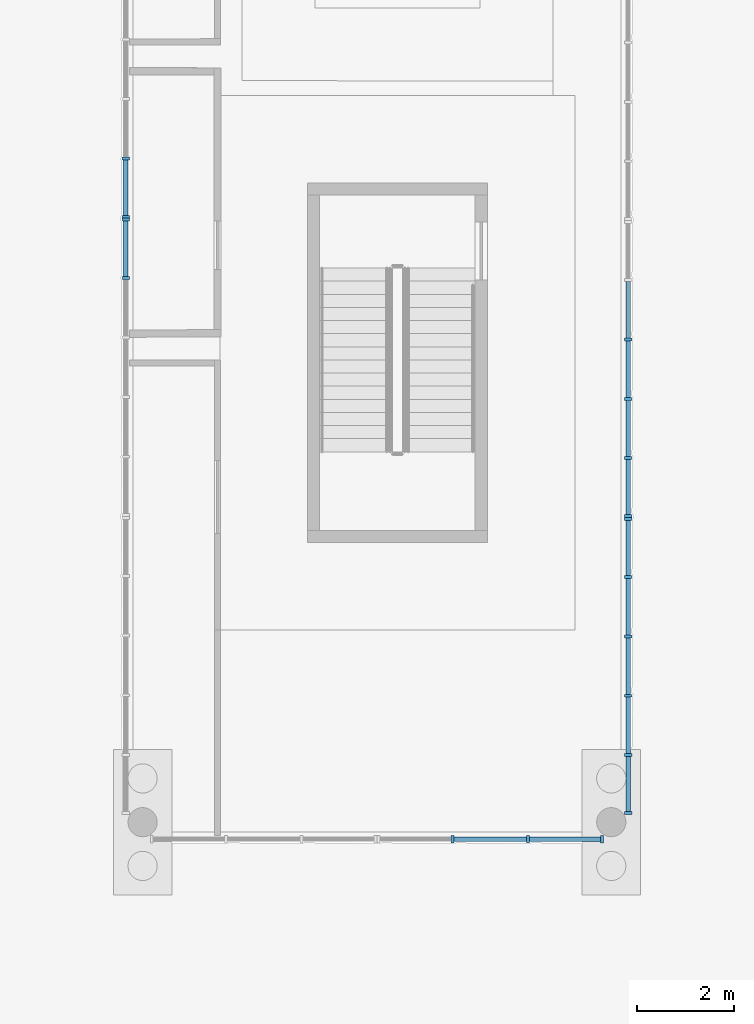
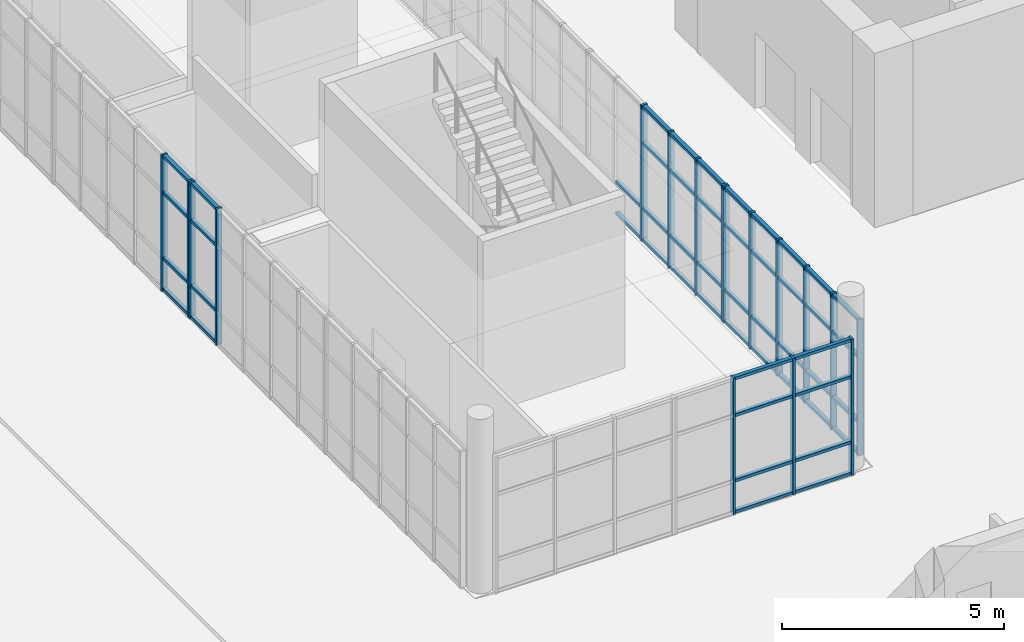
# One storey, part 13 of 110: 67 members, 5 elements without a shape of their own.
"""IFC4 building model written with IfcOpenShell, lengths in metres."""

from ifc_helpers import new_model, si_unit, direction, frame, origin, origin_2d, place, context, subcontext, project, spatial, rectangle, extrude, material, layer, layer_set, material_profile, profile_set, type_object, element, aggregate, save


model = new_model("IFC4")

# Units and contexts
model_context = context("Model", 3, precision=1e-05, world=origin(), true_north=direction((0.0, 1.0)))
body_context = subcontext(model_context, "Body", "Model", "MODEL_VIEW")
ifc_project = project(units=[si_unit("LENGTHUNIT", "METRE"), si_unit("AREAUNIT", "SQUARE_METRE"), si_unit("VOLUMEUNIT", "CUBIC_METRE"), si_unit("PLANEANGLEUNIT", "RADIAN"), si_unit("MASSUNIT", "GRAM", prefix="KILO")], contexts=[model_context])

# Site, building, storey
site_placement = place(None, origin())
site = spatial("IfcSite", under=ifc_project, at=site_placement, CompositionType="ELEMENT")
building_placement = place(site_placement, origin())
building = spatial("IfcBuilding", under=site, at=building_placement, Name="Larchfold Concert Hall", CompositionType="ELEMENT")
storey_placement = place(building_placement, origin())
storey = spatial("IfcBuildingStorey", under=building, at=storey_placement, Name="L00", CompositionType="ELEMENT", Elevation=0.0)

# Curtain wall, members
ifc_material_1 = material(Name="Anodised graphite aluminium curtain wall", Category="aluminium")
ifc_layer = layer(ifc_material_1, 0.14990234375)
ifc_layer_set = layer_set([ifc_layer], Name="Anodised graphite aluminium curtain wall")
curtain_wall_type = type_object("IfcCurtainWallType", Name="Curtain wall WG", PredefinedType="NOTDEFINED", material=ifc_layer_set)
curtain_wall_1_placement = place(storey_placement, origin())
curtain_wall_1 = element("IfcCurtainWall", 1, at=curtain_wall_1_placement, inside=storey, type_object=curtain_wall_type, Name="Curtain wall CW0128", PredefinedType="NOTDEFINED")
ifc_material_2 = material(Name="Anodised graphite aluminium mullion", Category="aluminium")
ifc_material_profile_1 = material_profile(ifc_material_2, rectangle(XDim=0.14990234375, YDim=0.06005859375, at=origin_2d()))
ifc_profile_set_1 = profile_set([ifc_material_profile_1], Name="Anodised graphite aluminium mullion")
member_type_1 = type_object("IfcMemberType", Name="Aluminium mullion 60x150", PredefinedType="MULLION", material=ifc_profile_set_1)
member_1_placement = place(storey_placement, frame((10.408447265625, 48.20166015625, 0.0), z_axis=(0.0, 0.0, 1.0), x_axis=(1.0, 0.0, 0.0)))
member_1 = element("IfcMember", 2, at=member_1_placement, type_object=member_type_1, Name="CW0128 mullion 5", PredefinedType="MULLION", context=body_context, shape_type="SweptSolid", body=[
    extrude(rectangle(XDim=0.14990234375, YDim=0.06005859375, at=origin_2d()), origin(), (0.0, 0.0, 1.0), 3.75),
])
member_2_placement = place(storey_placement, frame((10.408447265625, 47.005126953125, 0.0), z_axis=(0.0, 0.0, 1.0), x_axis=(1.0, 0.0, 0.0)))
member_2 = element("IfcMember", 3, at=member_2_placement, type_object=member_type_1, Name="CW0128 mullion 6", PredefinedType="MULLION", context=body_context, shape_type="SweptSolid", body=[
    extrude(rectangle(XDim=0.14990234375, YDim=0.06005859375, at=origin_2d()), origin(), (0.0, 0.0, 1.0), 3.75),
])

curtain_wall_2_placement = place(storey_placement, origin())
curtain_wall_2 = element("IfcCurtainWall", 4, at=curtain_wall_2_placement, inside=storey, type_object=curtain_wall_type, Name="Curtain wall CW0129", PredefinedType="NOTDEFINED")
member_3_placement = place(storey_placement, frame((10.408447265625, 46.945068359375, 0.0), z_axis=(0.0, 0.0, 1.0), x_axis=(1.0, 0.0, 0.0)))
member_3 = element("IfcMember", 5, at=member_3_placement, type_object=member_type_1, Name="CW0129 mullion 1", PredefinedType="MULLION", context=body_context, shape_type="SweptSolid", body=[
    extrude(rectangle(XDim=0.14990234375, YDim=0.06005859375, at=origin_2d()), origin(), (0.0, 0.0, 1.0), 3.75),
])
member_4_placement = place(storey_placement, frame((10.408447265625, 45.74853515625, 0.0), z_axis=(0.0, 0.0, 1.0), x_axis=(1.0, 0.0, 0.0)))
member_4 = element("IfcMember", 6, at=member_4_placement, type_object=member_type_1, Name="CW0129 mullion 2", PredefinedType="MULLION", context=body_context, shape_type="SweptSolid", body=[
    extrude(rectangle(XDim=0.14990234375, YDim=0.06005859375, at=origin_2d()), origin(), (0.0, 0.0, 1.0), 3.75),
])

curtain_wall_3_placement = place(storey_placement, origin())
curtain_wall_3 = element("IfcCurtainWall", 7, at=curtain_wall_3_placement, inside=storey, type_object=curtain_wall_type, Name="Curtain wall CW0132", PredefinedType="NOTDEFINED")
member_5_placement = place(storey_placement, frame((17.1328125, 34.199951171875, 0.0), z_axis=(0.0, 0.0, 1.0), x_axis=(0.0, 1.0, 0.0)))
member_5 = element("IfcMember", 8, at=member_5_placement, type_object=member_type_1, Name="CW0132 mullion 2", PredefinedType="MULLION", context=body_context, shape_type="SweptSolid", body=[
    extrude(rectangle(XDim=0.14990234375, YDim=0.06005859375, at=origin_2d()), origin(), (0.0, 0.0, 1.0), 3.75),
])
member_6_placement = place(storey_placement, frame((18.687255859375, 34.199951171875, 0.0), z_axis=(0.0, 0.0, 1.0), x_axis=(0.0, 1.0, 0.0)))
member_6 = element("IfcMember", 9, at=member_6_placement, type_object=member_type_1, Name="CW0132 mullion 3", PredefinedType="MULLION", context=body_context, shape_type="SweptSolid", body=[
    extrude(rectangle(XDim=0.14990234375, YDim=0.06005859375, at=origin_2d()), origin(), (0.0, 0.0, 1.0), 3.75),
])
member_7_placement = place(storey_placement, frame((20.21142578125, 34.199951171875, 0.0), z_axis=(0.0, 0.0, 1.0), x_axis=(0.0, 1.0, 0.0)))
member_7 = element("IfcMember", 10, at=member_7_placement, type_object=member_type_1, Name="CW0132 mullion 4", PredefinedType="MULLION", context=body_context, shape_type="SweptSolid", body=[
    extrude(rectangle(XDim=0.14990234375, YDim=0.06005859375, at=origin_2d()), origin(), (0.0, 0.0, 1.0), 3.75),
])

curtain_wall_4_placement = place(storey_placement, origin())
curtain_wall_4 = element("IfcCurtainWall", 11, at=curtain_wall_4_placement, inside=storey, type_object=curtain_wall_type, Name="Curtain wall CW0133", PredefinedType="NOTDEFINED")
member_8_placement = place(storey_placement, frame((20.748779296875, 34.738037109375, 0.0), z_axis=(0.0, 0.0, 1.0), x_axis=(-1.0, 0.0, 0.0)))
member_8 = element("IfcMember", 12, at=member_8_placement, type_object=member_type_1, Name="CW0133 mullion 1", PredefinedType="MULLION", context=body_context, shape_type="SweptSolid", body=[
    extrude(rectangle(XDim=0.14990234375, YDim=0.06005859375, at=origin_2d()), origin(), (0.0, 0.0, 1.0), 3.75),
])
member_9_placement = place(storey_placement, frame((20.748779296875, 35.9296875, 0.0), z_axis=(0.0, 0.0, 1.0), x_axis=(-1.0, 0.0, 0.0)))
member_9 = element("IfcMember", 13, at=member_9_placement, type_object=member_type_1, Name="CW0133 mullion 2", PredefinedType="MULLION", context=body_context, shape_type="SweptSolid", body=[
    extrude(rectangle(XDim=0.14990234375, YDim=0.06005859375, at=origin_2d()), origin(), (0.0, 0.0, 1.0), 3.75),
])
member_10_placement = place(storey_placement, frame((20.748779296875, 37.151611328125, 0.0), z_axis=(0.0, 0.0, 1.0), x_axis=(-1.0, 0.0, 0.0)))
member_10 = element("IfcMember", 14, at=member_10_placement, type_object=member_type_1, Name="CW0133 mullion 3", PredefinedType="MULLION", context=body_context, shape_type="SweptSolid", body=[
    extrude(rectangle(XDim=0.14990234375, YDim=0.06005859375, at=origin_2d()), origin(), (0.0, 0.0, 1.0), 3.75),
])
member_11_placement = place(storey_placement, frame((20.748779296875, 38.373291015625, 0.0), z_axis=(0.0, 0.0, 1.0), x_axis=(-1.0, 0.0, 0.0)))
member_11 = element("IfcMember", 15, at=member_11_placement, type_object=member_type_1, Name="CW0133 mullion 4", PredefinedType="MULLION", context=body_context, shape_type="SweptSolid", body=[
    extrude(rectangle(XDim=0.14990234375, YDim=0.06005859375, at=origin_2d()), origin(), (0.0, 0.0, 1.0), 3.75),
])
member_12_placement = place(storey_placement, frame((20.748779296875, 39.59521484375, 0.0), z_axis=(0.0, 0.0, 1.0), x_axis=(-1.0, 0.0, 0.0)))
member_12 = element("IfcMember", 16, at=member_12_placement, type_object=member_type_1, Name="CW0133 mullion 5", PredefinedType="MULLION", context=body_context, shape_type="SweptSolid", body=[
    extrude(rectangle(XDim=0.14990234375, YDim=0.06005859375, at=origin_2d()), origin(), (0.0, 0.0, 1.0), 3.75),
])
member_13_placement = place(storey_placement, frame((20.748779296875, 40.786865234375, 0.0), z_axis=(0.0, 0.0, 1.0), x_axis=(-1.0, 0.0, 0.0)))
member_13 = element("IfcMember", 17, at=member_13_placement, type_object=member_type_1, Name="CW0133 mullion 6", PredefinedType="MULLION", context=body_context, shape_type="SweptSolid", body=[
    extrude(rectangle(XDim=0.14990234375, YDim=0.06005859375, at=origin_2d()), origin(), (0.0, 0.0, 1.0), 3.75),
])

curtain_wall_5_placement = place(storey_placement, origin())
curtain_wall_5 = element("IfcCurtainWall", 18, at=curtain_wall_5_placement, inside=storey, type_object=curtain_wall_type, Name="Curtain wall CW0134", PredefinedType="NOTDEFINED")
member_14_placement = place(storey_placement, frame((20.748779296875, 40.846923828125, 0.0), z_axis=(0.0, 0.0, 1.0), x_axis=(-1.0, 0.0, 0.0)))
member_14 = element("IfcMember", 19, at=member_14_placement, type_object=member_type_1, Name="CW0134 mullion 1", PredefinedType="MULLION", context=body_context, shape_type="SweptSolid", body=[
    extrude(rectangle(XDim=0.14990234375, YDim=0.06005859375, at=origin_2d()), origin(), (0.0, 0.0, 1.0), 3.75),
])
member_15_placement = place(storey_placement, frame((20.748779296875, 42.03857421875, 0.0), z_axis=(0.0, 0.0, 1.0), x_axis=(-1.0, 0.0, 0.0)))
member_15 = element("IfcMember", 20, at=member_15_placement, type_object=member_type_1, Name="CW0134 mullion 2", PredefinedType="MULLION", context=body_context, shape_type="SweptSolid", body=[
    extrude(rectangle(XDim=0.14990234375, YDim=0.06005859375, at=origin_2d()), origin(), (0.0, 0.0, 1.0), 3.75),
])
member_16_placement = place(storey_placement, frame((20.748779296875, 43.26025390625, 0.0), z_axis=(0.0, 0.0, 1.0), x_axis=(-1.0, 0.0, 0.0)))
member_16 = element("IfcMember", 21, at=member_16_placement, type_object=member_type_1, Name="CW0134 mullion 3", PredefinedType="MULLION", context=body_context, shape_type="SweptSolid", body=[
    extrude(rectangle(XDim=0.14990234375, YDim=0.06005859375, at=origin_2d()), origin(), (0.0, 0.0, 1.0), 3.75),
])
member_17_placement = place(storey_placement, frame((20.748779296875, 44.482177734375, 0.0), z_axis=(0.0, 0.0, 1.0), x_axis=(-1.0, 0.0, 0.0)))
member_17 = element("IfcMember", 22, at=member_17_placement, type_object=member_type_1, Name="CW0134 mullion 4", PredefinedType="MULLION", context=body_context, shape_type="SweptSolid", body=[
    extrude(rectangle(XDim=0.14990234375, YDim=0.06005859375, at=origin_2d()), origin(), (0.0, 0.0, 1.0), 3.75),
])

# Member
ifc_material_3 = material(Name="Anodised graphite aluminium transom", Category="aluminium")
ifc_material_profile_2 = material_profile(ifc_material_3, rectangle(XDim=0.10009765625, YDim=0.080078125, at=origin_2d()))
ifc_profile_set_2 = profile_set([ifc_material_profile_2], Name="Anodised graphite aluminium transom")
member_type_2 = type_object("IfcMemberType", Name="Aluminium transom 80x100", PredefinedType="USERDEFINED", material=ifc_profile_set_2)
member_18_placement = place(storey_placement, frame((10.408447265625, 48.171630859375, 0.0400390625), z_axis=(0.0, -1.0, 0.0), x_axis=(1.0, 0.0, 0.0)))
member_18 = element("IfcMember", 23, at=member_18_placement, type_object=member_type_2, Name="CW0128 transom 5.1", ObjectType="TRANSOM", PredefinedType="USERDEFINED", context=body_context, shape_type="SweptSolid", body=[
    extrude(rectangle(XDim=0.10009765625, YDim=0.080078125, at=origin_2d()), origin(), (0.0, 0.0, 1.0), 1.136474609375),
])

member_19_placement = place(storey_placement, frame((10.408447265625, 48.171630859375, 0.89990234375), z_axis=(0.0, -1.0, 0.0), x_axis=(1.0, 0.0, 0.0)))
member_19 = element("IfcMember", 24, at=member_19_placement, type_object=member_type_2, Name="CW0128 transom 5.2", ObjectType="TRANSOM", PredefinedType="USERDEFINED", context=body_context, shape_type="SweptSolid", body=[
    extrude(rectangle(XDim=0.10009765625, YDim=0.080078125, at=origin_2d()), origin(), (0.0, 0.0, 1.0), 1.136474609375),
])

member_20_placement = place(storey_placement, frame((10.408447265625, 48.171630859375, 2.699951171875), z_axis=(0.0, -1.0, 0.0), x_axis=(1.0, 0.0, 0.0)))
member_20 = element("IfcMember", 25, at=member_20_placement, type_object=member_type_2, Name="CW0128 transom 5.3", ObjectType="TRANSOM", PredefinedType="USERDEFINED", context=body_context, shape_type="SweptSolid", body=[
    extrude(rectangle(XDim=0.10009765625, YDim=0.080078125, at=origin_2d()), origin(), (0.0, 0.0, 1.0), 1.136474609375),
])

member_21_placement = place(storey_placement, frame((10.408447265625, 48.171630859375, 3.7099609375), z_axis=(0.0, -1.0, 0.0), x_axis=(1.0, 0.0, 0.0)))
member_21 = element("IfcMember", 26, at=member_21_placement, type_object=member_type_2, Name="CW0128 transom 5.4", ObjectType="TRANSOM", PredefinedType="USERDEFINED", context=body_context, shape_type="SweptSolid", body=[
    extrude(rectangle(XDim=0.10009765625, YDim=0.080078125, at=origin_2d()), origin(), (0.0, 0.0, 1.0), 1.136474609375),
])

aggregate(curtain_wall_1, [member_1, member_2, member_18, member_19, member_20, member_21])

member_22_placement = place(storey_placement, frame((10.408447265625, 46.9150390625, 0.0400390625), z_axis=(0.0, -1.0, 0.0), x_axis=(1.0, 0.0, 0.0)))
member_22 = element("IfcMember", 27, at=member_22_placement, type_object=member_type_2, Name="CW0129 transom 1.1", ObjectType="TRANSOM", PredefinedType="USERDEFINED", context=body_context, shape_type="SweptSolid", body=[
    extrude(rectangle(XDim=0.10009765625, YDim=0.080078125, at=origin_2d()), origin(), (0.0, 0.0, 1.0), 1.13671875),
])

member_23_placement = place(storey_placement, frame((10.408447265625, 46.9150390625, 0.89990234375), z_axis=(0.0, -1.0, 0.0), x_axis=(1.0, 0.0, 0.0)))
member_23 = element("IfcMember", 28, at=member_23_placement, type_object=member_type_2, Name="CW0129 transom 1.2", ObjectType="TRANSOM", PredefinedType="USERDEFINED", context=body_context, shape_type="SweptSolid", body=[
    extrude(rectangle(XDim=0.10009765625, YDim=0.080078125, at=origin_2d()), origin(), (0.0, 0.0, 1.0), 1.13671875),
])

member_24_placement = place(storey_placement, frame((10.408447265625, 46.9150390625, 2.699951171875), z_axis=(0.0, -1.0, 0.0), x_axis=(1.0, 0.0, 0.0)))
member_24 = element("IfcMember", 29, at=member_24_placement, type_object=member_type_2, Name="CW0129 transom 1.3", ObjectType="TRANSOM", PredefinedType="USERDEFINED", context=body_context, shape_type="SweptSolid", body=[
    extrude(rectangle(XDim=0.10009765625, YDim=0.080078125, at=origin_2d()), origin(), (0.0, 0.0, 1.0), 1.13671875),
])

member_25_placement = place(storey_placement, frame((10.408447265625, 46.9150390625, 3.7099609375), z_axis=(0.0, -1.0, 0.0), x_axis=(1.0, 0.0, 0.0)))
member_25 = element("IfcMember", 30, at=member_25_placement, type_object=member_type_2, Name="CW0129 transom 1.4", ObjectType="TRANSOM", PredefinedType="USERDEFINED", context=body_context, shape_type="SweptSolid", body=[
    extrude(rectangle(XDim=0.10009765625, YDim=0.080078125, at=origin_2d()), origin(), (0.0, 0.0, 1.0), 1.13671875),
])

aggregate(curtain_wall_2, [member_3, member_4, member_22, member_23, member_24, member_25])

member_26_placement = place(storey_placement, frame((17.162841796875, 34.199951171875, 0.0400390625), z_axis=(1.0, 0.0, 0.0), x_axis=(0.0, 1.0, 0.0)))
member_26 = element("IfcMember", 31, at=member_26_placement, type_object=member_type_2, Name="CW0132 transom 2.1", ObjectType="TRANSOM", PredefinedType="USERDEFINED", context=body_context, shape_type="SweptSolid", body=[
    extrude(rectangle(XDim=0.10009765625, YDim=0.080078125, at=origin_2d()), origin(), (0.0, 0.0, 1.0), 1.494384765625),
])

member_27_placement = place(storey_placement, frame((17.162841796875, 34.199951171875, 0.89990234375), z_axis=(1.0, 0.0, 0.0), x_axis=(0.0, 1.0, 0.0)))
member_27 = element("IfcMember", 32, at=member_27_placement, type_object=member_type_2, Name="CW0132 transom 2.2", ObjectType="TRANSOM", PredefinedType="USERDEFINED", context=body_context, shape_type="SweptSolid", body=[
    extrude(rectangle(XDim=0.10009765625, YDim=0.080078125, at=origin_2d()), origin(), (0.0, 0.0, 1.0), 1.494384765625),
])

member_28_placement = place(storey_placement, frame((17.162841796875, 34.199951171875, 2.699951171875), z_axis=(1.0, 0.0, 0.0), x_axis=(0.0, 1.0, 0.0)))
member_28 = element("IfcMember", 33, at=member_28_placement, type_object=member_type_2, Name="CW0132 transom 2.3", ObjectType="TRANSOM", PredefinedType="USERDEFINED", context=body_context, shape_type="SweptSolid", body=[
    extrude(rectangle(XDim=0.10009765625, YDim=0.080078125, at=origin_2d()), origin(), (0.0, 0.0, 1.0), 1.494384765625),
])

member_29_placement = place(storey_placement, frame((17.162841796875, 34.199951171875, 3.7099609375), z_axis=(1.0, 0.0, 0.0), x_axis=(0.0, 1.0, 0.0)))
member_29 = element("IfcMember", 34, at=member_29_placement, type_object=member_type_2, Name="CW0132 transom 2.4", ObjectType="TRANSOM", PredefinedType="USERDEFINED", context=body_context, shape_type="SweptSolid", body=[
    extrude(rectangle(XDim=0.10009765625, YDim=0.080078125, at=origin_2d()), origin(), (0.0, 0.0, 1.0), 1.494384765625),
])

member_30_placement = place(storey_placement, frame((18.71728515625, 34.199951171875, 0.0400390625), z_axis=(1.0, 0.0, 0.0), x_axis=(0.0, 1.0, 0.0)))
member_30 = element("IfcMember", 35, at=member_30_placement, type_object=member_type_2, Name="CW0132 transom 3.1", ObjectType="TRANSOM", PredefinedType="USERDEFINED", context=body_context, shape_type="SweptSolid", body=[
    extrude(rectangle(XDim=0.10009765625, YDim=0.080078125, at=origin_2d()), origin(), (0.0, 0.0, 1.0), 1.464111328125),
])

member_31_placement = place(storey_placement, frame((18.71728515625, 34.199951171875, 0.89990234375), z_axis=(1.0, 0.0, 0.0), x_axis=(0.0, 1.0, 0.0)))
member_31 = element("IfcMember", 36, at=member_31_placement, type_object=member_type_2, Name="CW0132 transom 3.2", ObjectType="TRANSOM", PredefinedType="USERDEFINED", context=body_context, shape_type="SweptSolid", body=[
    extrude(rectangle(XDim=0.10009765625, YDim=0.080078125, at=origin_2d()), origin(), (0.0, 0.0, 1.0), 1.464111328125),
])

member_32_placement = place(storey_placement, frame((18.71728515625, 34.199951171875, 2.699951171875), z_axis=(1.0, 0.0, 0.0), x_axis=(0.0, 1.0, 0.0)))
member_32 = element("IfcMember", 37, at=member_32_placement, type_object=member_type_2, Name="CW0132 transom 3.3", ObjectType="TRANSOM", PredefinedType="USERDEFINED", context=body_context, shape_type="SweptSolid", body=[
    extrude(rectangle(XDim=0.10009765625, YDim=0.080078125, at=origin_2d()), origin(), (0.0, 0.0, 1.0), 1.464111328125),
])

member_33_placement = place(storey_placement, frame((18.71728515625, 34.199951171875, 3.7099609375), z_axis=(1.0, 0.0, 0.0), x_axis=(0.0, 1.0, 0.0)))
member_33 = element("IfcMember", 38, at=member_33_placement, type_object=member_type_2, Name="CW0132 transom 3.4", ObjectType="TRANSOM", PredefinedType="USERDEFINED", context=body_context, shape_type="SweptSolid", body=[
    extrude(rectangle(XDim=0.10009765625, YDim=0.080078125, at=origin_2d()), origin(), (0.0, 0.0, 1.0), 1.464111328125),
])

aggregate(curtain_wall_3, [member_5, member_6, member_7, member_26, member_27, member_28, member_29, member_30, member_31, member_32, member_33])

member_34_placement = place(storey_placement, frame((20.748779296875, 34.76806640625, 0.0400390625), z_axis=(0.0, 1.0, 0.0), x_axis=(-1.0, 0.0, 0.0)))
member_34 = element("IfcMember", 39, at=member_34_placement, type_object=member_type_2, Name="CW0133 transom 1.1", ObjectType="TRANSOM", PredefinedType="USERDEFINED", context=body_context, shape_type="SweptSolid", body=[
    extrude(rectangle(XDim=0.10009765625, YDim=0.080078125, at=origin_2d()), origin(), (0.0, 0.0, 1.0), 1.1318359375),
])

member_35_placement = place(storey_placement, frame((20.748779296875, 34.76806640625, 0.89990234375), z_axis=(0.0, 1.0, 0.0), x_axis=(-1.0, 0.0, 0.0)))
member_35 = element("IfcMember", 40, at=member_35_placement, type_object=member_type_2, Name="CW0133 transom 1.2", ObjectType="TRANSOM", PredefinedType="USERDEFINED", context=body_context, shape_type="SweptSolid", body=[
    extrude(rectangle(XDim=0.10009765625, YDim=0.080078125, at=origin_2d()), origin(), (0.0, 0.0, 1.0), 1.1318359375),
])

member_36_placement = place(storey_placement, frame((20.748779296875, 34.76806640625, 2.699951171875), z_axis=(0.0, 1.0, 0.0), x_axis=(-1.0, 0.0, 0.0)))
member_36 = element("IfcMember", 41, at=member_36_placement, type_object=member_type_2, Name="CW0133 transom 1.3", ObjectType="TRANSOM", PredefinedType="USERDEFINED", context=body_context, shape_type="SweptSolid", body=[
    extrude(rectangle(XDim=0.10009765625, YDim=0.080078125, at=origin_2d()), origin(), (0.0, 0.0, 1.0), 1.1318359375),
])

member_37_placement = place(storey_placement, frame((20.748779296875, 34.76806640625, 3.7099609375), z_axis=(0.0, 1.0, 0.0), x_axis=(-1.0, 0.0, 0.0)))
member_37 = element("IfcMember", 42, at=member_37_placement, type_object=member_type_2, Name="CW0133 transom 1.4", ObjectType="TRANSOM", PredefinedType="USERDEFINED", context=body_context, shape_type="SweptSolid", body=[
    extrude(rectangle(XDim=0.10009765625, YDim=0.080078125, at=origin_2d()), origin(), (0.0, 0.0, 1.0), 1.1318359375),
])

member_38_placement = place(storey_placement, frame((20.748779296875, 35.959716796875, 0.0400390625), z_axis=(0.0, 1.0, 0.0), x_axis=(-1.0, 0.0, 0.0)))
member_38 = element("IfcMember", 43, at=member_38_placement, type_object=member_type_2, Name="CW0133 transom 2.1", ObjectType="TRANSOM", PredefinedType="USERDEFINED", context=body_context, shape_type="SweptSolid", body=[
    extrude(rectangle(XDim=0.10009765625, YDim=0.080078125, at=origin_2d()), origin(), (0.0, 0.0, 1.0), 1.161865234375),
])

member_39_placement = place(storey_placement, frame((20.748779296875, 35.959716796875, 0.89990234375), z_axis=(0.0, 1.0, 0.0), x_axis=(-1.0, 0.0, 0.0)))
member_39 = element("IfcMember", 44, at=member_39_placement, type_object=member_type_2, Name="CW0133 transom 2.2", ObjectType="TRANSOM", PredefinedType="USERDEFINED", context=body_context, shape_type="SweptSolid", body=[
    extrude(rectangle(XDim=0.10009765625, YDim=0.080078125, at=origin_2d()), origin(), (0.0, 0.0, 1.0), 1.161865234375),
])

member_40_placement = place(storey_placement, frame((20.748779296875, 35.959716796875, 2.699951171875), z_axis=(0.0, 1.0, 0.0), x_axis=(-1.0, 0.0, 0.0)))
member_40 = element("IfcMember", 45, at=member_40_placement, type_object=member_type_2, Name="CW0133 transom 2.3", ObjectType="TRANSOM", PredefinedType="USERDEFINED", context=body_context, shape_type="SweptSolid", body=[
    extrude(rectangle(XDim=0.10009765625, YDim=0.080078125, at=origin_2d()), origin(), (0.0, 0.0, 1.0), 1.161865234375),
])

member_41_placement = place(storey_placement, frame((20.748779296875, 35.959716796875, 3.7099609375), z_axis=(0.0, 1.0, 0.0), x_axis=(-1.0, 0.0, 0.0)))
member_41 = element("IfcMember", 46, at=member_41_placement, type_object=member_type_2, Name="CW0133 transom 2.4", ObjectType="TRANSOM", PredefinedType="USERDEFINED", context=body_context, shape_type="SweptSolid", body=[
    extrude(rectangle(XDim=0.10009765625, YDim=0.080078125, at=origin_2d()), origin(), (0.0, 0.0, 1.0), 1.161865234375),
])

member_42_placement = place(storey_placement, frame((20.748779296875, 37.181640625, 0.0400390625), z_axis=(0.0, 1.0, 0.0), x_axis=(-1.0, 0.0, 0.0)))
member_42 = element("IfcMember", 47, at=member_42_placement, type_object=member_type_2, Name="CW0133 transom 3.1", ObjectType="TRANSOM", PredefinedType="USERDEFINED", context=body_context, shape_type="SweptSolid", body=[
    extrude(rectangle(XDim=0.10009765625, YDim=0.080078125, at=origin_2d()), origin(), (0.0, 0.0, 1.0), 1.16162109375),
])

member_43_placement = place(storey_placement, frame((20.748779296875, 37.181640625, 0.89990234375), z_axis=(0.0, 1.0, 0.0), x_axis=(-1.0, 0.0, 0.0)))
member_43 = element("IfcMember", 48, at=member_43_placement, type_object=member_type_2, Name="CW0133 transom 3.2", ObjectType="TRANSOM", PredefinedType="USERDEFINED", context=body_context, shape_type="SweptSolid", body=[
    extrude(rectangle(XDim=0.10009765625, YDim=0.080078125, at=origin_2d()), origin(), (0.0, 0.0, 1.0), 1.16162109375),
])

member_44_placement = place(storey_placement, frame((20.748779296875, 37.181640625, 2.699951171875), z_axis=(0.0, 1.0, 0.0), x_axis=(-1.0, 0.0, 0.0)))
member_44 = element("IfcMember", 49, at=member_44_placement, type_object=member_type_2, Name="CW0133 transom 3.3", ObjectType="TRANSOM", PredefinedType="USERDEFINED", context=body_context, shape_type="SweptSolid", body=[
    extrude(rectangle(XDim=0.10009765625, YDim=0.080078125, at=origin_2d()), origin(), (0.0, 0.0, 1.0), 1.16162109375),
])

member_45_placement = place(storey_placement, frame((20.748779296875, 37.181640625, 3.7099609375), z_axis=(0.0, 1.0, 0.0), x_axis=(-1.0, 0.0, 0.0)))
member_45 = element("IfcMember", 50, at=member_45_placement, type_object=member_type_2, Name="CW0133 transom 3.4", ObjectType="TRANSOM", PredefinedType="USERDEFINED", context=body_context, shape_type="SweptSolid", body=[
    extrude(rectangle(XDim=0.10009765625, YDim=0.080078125, at=origin_2d()), origin(), (0.0, 0.0, 1.0), 1.16162109375),
])

member_46_placement = place(storey_placement, frame((20.748779296875, 38.4033203125, 0.0400390625), z_axis=(0.0, 1.0, 0.0), x_axis=(-1.0, 0.0, 0.0)))
member_46 = element("IfcMember", 51, at=member_46_placement, type_object=member_type_2, Name="CW0133 transom 4.1", ObjectType="TRANSOM", PredefinedType="USERDEFINED", context=body_context, shape_type="SweptSolid", body=[
    extrude(rectangle(XDim=0.10009765625, YDim=0.080078125, at=origin_2d()), origin(), (0.0, 0.0, 1.0), 1.161865234375),
])

member_47_placement = place(storey_placement, frame((20.748779296875, 38.4033203125, 0.89990234375), z_axis=(0.0, 1.0, 0.0), x_axis=(-1.0, 0.0, 0.0)))
member_47 = element("IfcMember", 52, at=member_47_placement, type_object=member_type_2, Name="CW0133 transom 4.2", ObjectType="TRANSOM", PredefinedType="USERDEFINED", context=body_context, shape_type="SweptSolid", body=[
    extrude(rectangle(XDim=0.10009765625, YDim=0.080078125, at=origin_2d()), origin(), (0.0, 0.0, 1.0), 1.161865234375),
])

member_48_placement = place(storey_placement, frame((20.748779296875, 38.4033203125, 2.699951171875), z_axis=(0.0, 1.0, 0.0), x_axis=(-1.0, 0.0, 0.0)))
member_48 = element("IfcMember", 53, at=member_48_placement, type_object=member_type_2, Name="CW0133 transom 4.3", ObjectType="TRANSOM", PredefinedType="USERDEFINED", context=body_context, shape_type="SweptSolid", body=[
    extrude(rectangle(XDim=0.10009765625, YDim=0.080078125, at=origin_2d()), origin(), (0.0, 0.0, 1.0), 1.161865234375),
])

member_49_placement = place(storey_placement, frame((20.748779296875, 38.4033203125, 3.7099609375), z_axis=(0.0, 1.0, 0.0), x_axis=(-1.0, 0.0, 0.0)))
member_49 = element("IfcMember", 54, at=member_49_placement, type_object=member_type_2, Name="CW0133 transom 4.4", ObjectType="TRANSOM", PredefinedType="USERDEFINED", context=body_context, shape_type="SweptSolid", body=[
    extrude(rectangle(XDim=0.10009765625, YDim=0.080078125, at=origin_2d()), origin(), (0.0, 0.0, 1.0), 1.161865234375),
])

member_50_placement = place(storey_placement, frame((20.748779296875, 39.625, 0.0400390625), z_axis=(0.0, 1.0, 0.0), x_axis=(-1.0, 0.0, 0.0)))
member_50 = element("IfcMember", 55, at=member_50_placement, type_object=member_type_2, Name="CW0133 transom 5.1", ObjectType="TRANSOM", PredefinedType="USERDEFINED", context=body_context, shape_type="SweptSolid", body=[
    extrude(rectangle(XDim=0.10009765625, YDim=0.080078125, at=origin_2d()), origin(), (0.0, 0.0, 1.0), 1.1318359375),
])

member_51_placement = place(storey_placement, frame((20.748779296875, 39.625, 0.89990234375), z_axis=(0.0, 1.0, 0.0), x_axis=(-1.0, 0.0, 0.0)))
member_51 = element("IfcMember", 56, at=member_51_placement, type_object=member_type_2, Name="CW0133 transom 5.2", ObjectType="TRANSOM", PredefinedType="USERDEFINED", context=body_context, shape_type="SweptSolid", body=[
    extrude(rectangle(XDim=0.10009765625, YDim=0.080078125, at=origin_2d()), origin(), (0.0, 0.0, 1.0), 1.1318359375),
])

member_52_placement = place(storey_placement, frame((20.748779296875, 39.625, 2.699951171875), z_axis=(0.0, 1.0, 0.0), x_axis=(-1.0, 0.0, 0.0)))
member_52 = element("IfcMember", 57, at=member_52_placement, type_object=member_type_2, Name="CW0133 transom 5.3", ObjectType="TRANSOM", PredefinedType="USERDEFINED", context=body_context, shape_type="SweptSolid", body=[
    extrude(rectangle(XDim=0.10009765625, YDim=0.080078125, at=origin_2d()), origin(), (0.0, 0.0, 1.0), 1.1318359375),
])

member_53_placement = place(storey_placement, frame((20.748779296875, 39.625, 3.7099609375), z_axis=(0.0, 1.0, 0.0), x_axis=(-1.0, 0.0, 0.0)))
member_53 = element("IfcMember", 58, at=member_53_placement, type_object=member_type_2, Name="CW0133 transom 5.4", ObjectType="TRANSOM", PredefinedType="USERDEFINED", context=body_context, shape_type="SweptSolid", body=[
    extrude(rectangle(XDim=0.10009765625, YDim=0.080078125, at=origin_2d()), origin(), (0.0, 0.0, 1.0), 1.1318359375),
])

aggregate(curtain_wall_4, [member_8, member_9, member_10, member_11, member_12, member_13, member_34, member_35, member_36, member_37, member_38, member_39, member_40, member_41, member_42, member_43, member_44, member_45, member_46, member_47, member_48, member_49, member_50, member_51, member_52, member_53])

member_54_placement = place(storey_placement, frame((20.748779296875, 40.876953125, 0.0400390625), z_axis=(0.0, 1.0, 0.0), x_axis=(-1.0, 0.0, 0.0)))
member_54 = element("IfcMember", 59, at=member_54_placement, type_object=member_type_2, Name="CW0134 transom 1.1", ObjectType="TRANSOM", PredefinedType="USERDEFINED", context=body_context, shape_type="SweptSolid", body=[
    extrude(rectangle(XDim=0.10009765625, YDim=0.080078125, at=origin_2d()), origin(), (0.0, 0.0, 1.0), 1.131591796875),
])

member_55_placement = place(storey_placement, frame((20.748779296875, 40.876953125, 0.89990234375), z_axis=(0.0, 1.0, 0.0), x_axis=(-1.0, 0.0, 0.0)))
member_55 = element("IfcMember", 60, at=member_55_placement, type_object=member_type_2, Name="CW0134 transom 1.2", ObjectType="TRANSOM", PredefinedType="USERDEFINED", context=body_context, shape_type="SweptSolid", body=[
    extrude(rectangle(XDim=0.10009765625, YDim=0.080078125, at=origin_2d()), origin(), (0.0, 0.0, 1.0), 1.131591796875),
])

member_56_placement = place(storey_placement, frame((20.748779296875, 40.876953125, 2.699951171875), z_axis=(0.0, 1.0, 0.0), x_axis=(-1.0, 0.0, 0.0)))
member_56 = element("IfcMember", 61, at=member_56_placement, type_object=member_type_2, Name="CW0134 transom 1.3", ObjectType="TRANSOM", PredefinedType="USERDEFINED", context=body_context, shape_type="SweptSolid", body=[
    extrude(rectangle(XDim=0.10009765625, YDim=0.080078125, at=origin_2d()), origin(), (0.0, 0.0, 1.0), 1.131591796875),
])

member_57_placement = place(storey_placement, frame((20.748779296875, 40.876953125, 3.7099609375), z_axis=(0.0, 1.0, 0.0), x_axis=(-1.0, 0.0, 0.0)))
member_57 = element("IfcMember", 62, at=member_57_placement, type_object=member_type_2, Name="CW0134 transom 1.4", ObjectType="TRANSOM", PredefinedType="USERDEFINED", context=body_context, shape_type="SweptSolid", body=[
    extrude(rectangle(XDim=0.10009765625, YDim=0.080078125, at=origin_2d()), origin(), (0.0, 0.0, 1.0), 1.131591796875),
])

member_58_placement = place(storey_placement, frame((20.748779296875, 42.068603515625, 0.0400390625), z_axis=(0.0, 1.0, 0.0), x_axis=(-1.0, 0.0, 0.0)))
member_58 = element("IfcMember", 63, at=member_58_placement, type_object=member_type_2, Name="CW0134 transom 2.1", ObjectType="TRANSOM", PredefinedType="USERDEFINED", context=body_context, shape_type="SweptSolid", body=[
    extrude(rectangle(XDim=0.10009765625, YDim=0.080078125, at=origin_2d()), origin(), (0.0, 0.0, 1.0), 1.161865234375),
])

member_59_placement = place(storey_placement, frame((20.748779296875, 42.068603515625, 0.89990234375), z_axis=(0.0, 1.0, 0.0), x_axis=(-1.0, 0.0, 0.0)))
member_59 = element("IfcMember", 64, at=member_59_placement, type_object=member_type_2, Name="CW0134 transom 2.2", ObjectType="TRANSOM", PredefinedType="USERDEFINED", context=body_context, shape_type="SweptSolid", body=[
    extrude(rectangle(XDim=0.10009765625, YDim=0.080078125, at=origin_2d()), origin(), (0.0, 0.0, 1.0), 1.161865234375),
])

member_60_placement = place(storey_placement, frame((20.748779296875, 42.068603515625, 2.699951171875), z_axis=(0.0, 1.0, 0.0), x_axis=(-1.0, 0.0, 0.0)))
member_60 = element("IfcMember", 65, at=member_60_placement, type_object=member_type_2, Name="CW0134 transom 2.3", ObjectType="TRANSOM", PredefinedType="USERDEFINED", context=body_context, shape_type="SweptSolid", body=[
    extrude(rectangle(XDim=0.10009765625, YDim=0.080078125, at=origin_2d()), origin(), (0.0, 0.0, 1.0), 1.161865234375),
])

member_61_placement = place(storey_placement, frame((20.748779296875, 42.068603515625, 3.7099609375), z_axis=(0.0, 1.0, 0.0), x_axis=(-1.0, 0.0, 0.0)))
member_61 = element("IfcMember", 66, at=member_61_placement, type_object=member_type_2, Name="CW0134 transom 2.4", ObjectType="TRANSOM", PredefinedType="USERDEFINED", context=body_context, shape_type="SweptSolid", body=[
    extrude(rectangle(XDim=0.10009765625, YDim=0.080078125, at=origin_2d()), origin(), (0.0, 0.0, 1.0), 1.161865234375),
])

member_62_placement = place(storey_placement, frame((20.748779296875, 43.290283203125, 0.0400390625), z_axis=(0.0, 1.0, 0.0), x_axis=(-1.0, 0.0, 0.0)))
member_62 = element("IfcMember", 67, at=member_62_placement, type_object=member_type_2, Name="CW0134 transom 3.1", ObjectType="TRANSOM", PredefinedType="USERDEFINED", context=body_context, shape_type="SweptSolid", body=[
    extrude(rectangle(XDim=0.10009765625, YDim=0.080078125, at=origin_2d()), origin(), (0.0, 0.0, 1.0), 1.161865234375),
])

member_63_placement = place(storey_placement, frame((20.748779296875, 43.290283203125, 0.89990234375), z_axis=(0.0, 1.0, 0.0), x_axis=(-1.0, 0.0, 0.0)))
member_63 = element("IfcMember", 68, at=member_63_placement, type_object=member_type_2, Name="CW0134 transom 3.2", ObjectType="TRANSOM", PredefinedType="USERDEFINED", context=body_context, shape_type="SweptSolid", body=[
    extrude(rectangle(XDim=0.10009765625, YDim=0.080078125, at=origin_2d()), origin(), (0.0, 0.0, 1.0), 1.161865234375),
])

member_64_placement = place(storey_placement, frame((20.748779296875, 43.290283203125, 2.699951171875), z_axis=(0.0, 1.0, 0.0), x_axis=(-1.0, 0.0, 0.0)))
member_64 = element("IfcMember", 69, at=member_64_placement, type_object=member_type_2, Name="CW0134 transom 3.3", ObjectType="TRANSOM", PredefinedType="USERDEFINED", context=body_context, shape_type="SweptSolid", body=[
    extrude(rectangle(XDim=0.10009765625, YDim=0.080078125, at=origin_2d()), origin(), (0.0, 0.0, 1.0), 1.161865234375),
])

member_65_placement = place(storey_placement, frame((20.748779296875, 43.290283203125, 3.7099609375), z_axis=(0.0, 1.0, 0.0), x_axis=(-1.0, 0.0, 0.0)))
member_65 = element("IfcMember", 70, at=member_65_placement, type_object=member_type_2, Name="CW0134 transom 3.4", ObjectType="TRANSOM", PredefinedType="USERDEFINED", context=body_context, shape_type="SweptSolid", body=[
    extrude(rectangle(XDim=0.10009765625, YDim=0.080078125, at=origin_2d()), origin(), (0.0, 0.0, 1.0), 1.161865234375),
])

member_66_placement = place(storey_placement, frame((20.748779296875, 44.511962890625, 0.0400390625), z_axis=(0.0, 1.0, 0.0), x_axis=(-1.0, 0.0, 0.0)))
member_66 = element("IfcMember", 71, at=member_66_placement, type_object=member_type_2, Name="CW0134 transom 4.1", ObjectType="TRANSOM", PredefinedType="USERDEFINED", context=body_context, shape_type="SweptSolid", body=[
    extrude(rectangle(XDim=0.10009765625, YDim=0.080078125, at=origin_2d()), origin(), (0.0, 0.0, 1.0), 1.161865234375),
])

member_67_placement = place(storey_placement, frame((20.748779296875, 44.511962890625, 0.89990234375), z_axis=(0.0, 1.0, 0.0), x_axis=(-1.0, 0.0, 0.0)))
member_67 = element("IfcMember", 72, at=member_67_placement, type_object=member_type_2, Name="CW0134 transom 4.2", ObjectType="TRANSOM", PredefinedType="USERDEFINED", context=body_context, shape_type="SweptSolid", body=[
    extrude(rectangle(XDim=0.10009765625, YDim=0.080078125, at=origin_2d()), origin(), (0.0, 0.0, 1.0), 1.161865234375),
])

aggregate(curtain_wall_5, [member_14, member_15, member_16, member_17, member_54, member_55, member_56, member_57, member_58, member_59, member_60, member_61, member_62, member_63, member_64, member_65, member_66, member_67])

save(model, "model.ifc")
